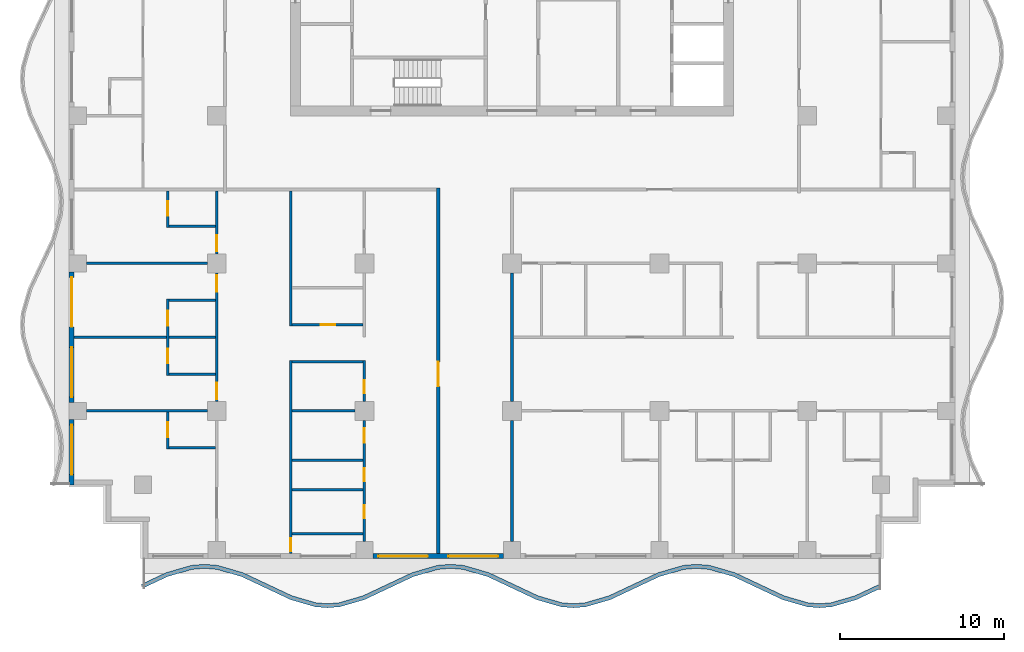
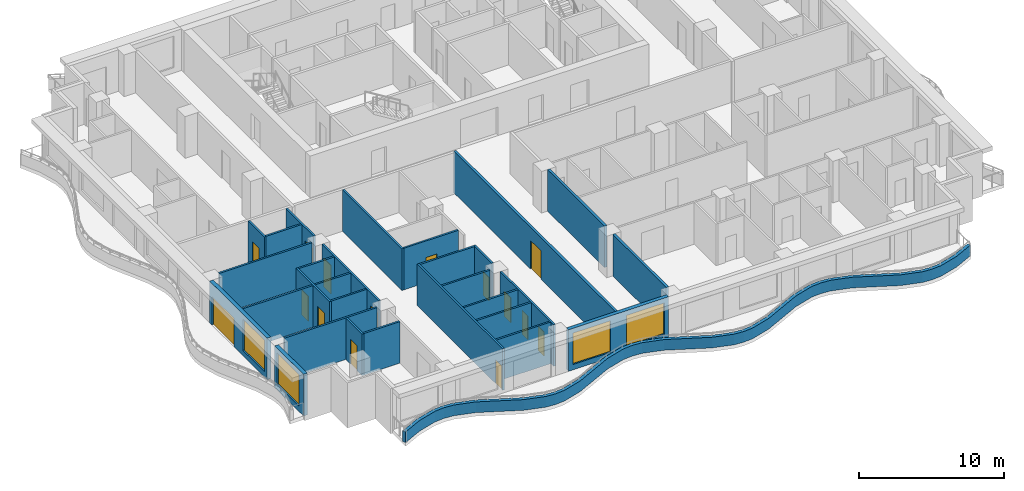
# One storey, part 2 of 11: 30 walls, 15 doors, 4 windows, 19 openings.
"""IFC4 building model written with IfcOpenShell, lengths in metres."""

from ifc_helpers import new_model, si_unit, direction, frame, frame_2d, origin, place, context, subcontext, project, spatial, polyline, rectangle, outline, extrude, material, layer, layer_set, type_object, element, fill, save


model = new_model("IFC4")

# Units and contexts
model_context = context("Model", 3, precision=1e-05, world=origin(), true_north=direction((0.0, 1.0)))
body_context = subcontext(model_context, "Body", "Model", "MODEL_VIEW")
ifc_project = project(units=[si_unit("LENGTHUNIT", "METRE"), si_unit("AREAUNIT", "SQUARE_METRE"), si_unit("VOLUMEUNIT", "CUBIC_METRE"), si_unit("PLANEANGLEUNIT", "RADIAN"), si_unit("MASSUNIT", "GRAM", prefix="KILO")], contexts=[model_context])

# Site, building, storey
site_placement = place(None, origin())
site = spatial("IfcSite", under=ifc_project, at=site_placement, CompositionType="ELEMENT")
building_placement = place(site_placement, origin())
building = spatial("IfcBuilding", under=site, at=building_placement, Name="Orbiselva Terraces", CompositionType="ELEMENT")
storey_placement = place(building_placement, frame((0.0, 0.0, 195.8)))
storey = spatial("IfcBuildingStorey", under=building, at=storey_placement, Name="L49", CompositionType="ELEMENT", Elevation=195.8)

# Wall
ifc_material_1 = material(Name="Concrete C40/50", Category="concrete")
ifc_layer_1 = layer(ifc_material_1, 0.25)
ifc_layer_set_1 = layer_set([ifc_layer_1], Name="Concrete C40/50")
wall_type_1 = type_object("IfcWallType", Name="ENV-PLANTER-250x900", PredefinedType="USERDEFINED", material=ifc_layer_set_1)
wall_1_placement = place(storey_placement, origin())
element("IfcWall", 1, at=wall_1_placement, inside=storey, type_object=wall_type_1, Name="Balcony planter L49 S", ObjectType="PLANTER", PredefinedType="USERDEFINED", context=body_context, shape_type="SweptSolid", body=[
    extrude(outline(polyline([(-22.5, -24.3), (-21.0, -23.594658), (-19.5, -23.158732), (-18.75, -23.1), (-18.0, -23.158732), (-16.5, -23.594658), (-15.0, -24.3), (-13.5, -25.005342), (-12.0, -25.441268), (-11.25, -25.5), (-10.5, -25.441268), (-9.0, -25.005342), (-7.5, -24.3), (-6.0, -23.594658), (-4.5, -23.158732), (-3.75, -23.1), (-3.0, -23.158732), (-1.5, -23.594658), (0.0, -24.3), (1.5, -25.005342), (3.0, -25.441268), (3.75, -25.5), (4.5, -25.441268), (6.0, -25.005342), (7.5, -24.3), (9.0, -23.594658), (10.5, -23.158732), (11.25, -23.1), (12.0, -23.158732), (13.5, -23.594658), (15.0, -24.3), (16.5, -25.005342), (18.0, -25.441268), (18.75, -25.5), (19.5, -25.441268), (21.0, -25.005342), (22.5, -24.3), (22.393617, -24.073764), (20.911382, -24.770753), (19.454886, -25.194035), (18.75, -25.249235), (18.045114, -25.194035), (16.588618, -24.770753), (15.106383, -24.073764), (13.588618, -23.360069), (12.045114, -22.911499), (11.25, -22.849235), (10.454886, -22.911499), (8.911382, -23.360069), (7.393617, -24.073764), (5.911382, -24.770753), (4.454886, -25.194035), (3.75, -25.249235), (3.045114, -25.194035), (1.588618, -24.770753), (0.106383, -24.073764), (-1.411382, -23.360069), (-2.954886, -22.911499), (-3.75, -22.849235), (-4.545114, -22.911499), (-6.088618, -23.360069), (-7.606383, -24.073764), (-9.088618, -24.770753), (-10.545114, -25.194035), (-11.25, -25.249235), (-11.954886, -25.194035), (-13.411382, -24.770753), (-14.893617, -24.073764), (-16.411382, -23.360069), (-17.954886, -22.911499), (-18.75, -22.849235), (-19.545114, -22.911499), (-21.088618, -23.360069), (-22.606383, -24.073764), (-22.5, -24.3)])), origin(), (0.0, 0.0, 1.0), 0.9),
])

# Wall, openings, windows
ifc_material_2 = material(Name="Terracotta cladding on masonry backing", Category="masonry")
ifc_layer_2 = layer(ifc_material_2, 0.3)
ifc_layer_set_2 = layer_set([ifc_layer_2], Name="Terracotta cladding on masonry backing")
wall_type_2 = type_object("IfcWallType", Name="ENV-WALL-TERRACOTTA-300", PredefinedType="SOLIDWALL", material=ifc_layer_set_2)
wall_2_placement = place(storey_placement, frame((-0.525, -22.35, 0.0), z_axis=(0.0, 0.0, 1.0), x_axis=(-1.0, 0.0, 0.0)))
wall_2 = element("IfcWall", 2, at=wall_2_placement, inside=storey, type_object=wall_type_2, Name="Facade wall L49 S", PredefinedType="SOLIDWALL", context=body_context, shape_type="SweptSolid", body=[
    extrude(rectangle(XDim=7.95, YDim=0.3, at=frame_2d((3.975, 0.0))), origin(), (0.0, 0.0, 1.0), 3.5),
])
opening_1_placement = place(wall_2_placement, frame((4.6, 0.0, 0.45)))
opening_1 = element("IfcOpeningElement", 3, at=opening_1_placement, cuts=wall_2, Name="Opening WN14", PredefinedType="OPENING", context=body_context, shape_type="SweptSolid", body=[
    extrude(rectangle(XDim=3.025, YDim=2.65, at=frame_2d((1.5125, 1.325))), frame((0.0, 0.16, 0.0), z_axis=(0.0, -1.0, 0.0), x_axis=(1.0, 0.0, 0.0)), (0.0, 0.0, 1.0), 0.32),
])
opening_2_placement = place(wall_2_placement, frame((0.325, 0.0, 0.45)))
opening_2 = element("IfcOpeningElement", 4, at=opening_2_placement, cuts=wall_2, Name="Opening WN14", PredefinedType="OPENING", context=body_context, shape_type="SweptSolid", body=[
    extrude(rectangle(XDim=3.025, YDim=2.65, at=frame_2d((1.5125, 1.325))), frame((0.0, 0.16, 0.0), z_axis=(0.0, -1.0, 0.0), x_axis=(1.0, 0.0, 0.0)), (0.0, 0.0, 1.0), 0.32),
])
ifc_material_3 = material(Name="Clear low-e glazing in aluminium frame", Category="aluminium")
window_type = type_object("IfcWindowType", Name="WINDOW 3025 X 2650 S450", PartitioningType="TRIPLE_PANEL_VERTICAL", PredefinedType="WINDOW", material=ifc_material_3)
window_1_placement = place(opening_1_placement, origin())
window_1 = element("IfcWindow", 5, at=window_1_placement, inside=storey, type_object=window_type, Name="Window L49 S", OverallHeight=2.65, OverallWidth=3.025, PartitioningType="SINGLE_PANEL", PredefinedType="WINDOW", context=body_context, shape_type="SweptSolid", body=[
    extrude(rectangle(XDim=3.025, YDim=2.65, at=frame_2d((1.5125, 1.325))), frame((0.0, 0.03, 0.0), z_axis=(0.0, -1.0, 0.0), x_axis=(1.0, 0.0, 0.0)), (0.0, 0.0, 1.0), 0.06),
])
fill(opening_1, window_1)
window_2_placement = place(opening_2_placement, origin())
window_2 = element("IfcWindow", 6, at=window_2_placement, inside=storey, type_object=window_type, Name="Window L49 S", OverallHeight=2.65, OverallWidth=3.025, PartitioningType="SINGLE_PANEL", PredefinedType="WINDOW", context=body_context, shape_type="SweptSolid", body=[
    extrude(rectangle(XDim=3.025, YDim=2.65, at=frame_2d((1.5125, 1.325))), frame((0.0, 0.03, 0.0), z_axis=(0.0, -1.0, 0.0), x_axis=(1.0, 0.0, 0.0)), (0.0, 0.0, 1.0), 0.06),
])
fill(opening_2, window_2)

# Wall, openings, door, window
wall_3_placement = place(storey_placement, frame((-26.85, -12.975, 0.0), z_axis=(0.0, 0.0, 1.0), x_axis=(0.0, 1.0, 0.0)))
wall_3 = element("IfcWall", 7, at=wall_3_placement, inside=storey, type_object=wall_type_2, Name="Facade wall L49 W", PredefinedType="SOLIDWALL", context=body_context, shape_type="SweptSolid", body=[
    extrude(rectangle(XDim=7.95, YDim=0.3, at=frame_2d((3.975, 0.0))), origin(), (0.0, 0.0, 1.0), 3.5),
])
opening_3_placement = place(wall_3_placement, frame((4.6, 0.0, 0.0)))
opening_3 = element("IfcOpeningElement", 8, at=opening_3_placement, cuts=wall_3, Name="Opening Z4-B-E09", PredefinedType="OPENING", context=body_context, shape_type="SweptSolid", body=[
    extrude(rectangle(XDim=3.025, YDim=2.4, at=frame_2d((1.5125, 1.2))), frame((0.0, 0.16, 0.0), z_axis=(0.0, -1.0, 0.0), x_axis=(1.0, 0.0, 0.0)), (0.0, 0.0, 1.0), 0.32),
])
opening_4_placement = place(wall_3_placement, frame((0.325, 0.0, 0.45)))
opening_4 = element("IfcOpeningElement", 9, at=opening_4_placement, cuts=wall_3, Name="Opening WN14", PredefinedType="OPENING", context=body_context, shape_type="SweptSolid", body=[
    extrude(rectangle(XDim=3.025, YDim=2.65, at=frame_2d((1.5125, 1.325))), frame((0.0, 0.16, 0.0), z_axis=(0.0, -1.0, 0.0), x_axis=(1.0, 0.0, 0.0)), (0.0, 0.0, 1.0), 0.32),
])
door_type_1 = type_object("IfcDoorType", Name="BALCONY DOOR 3025 X 2400", OperationType="DOUBLE_DOOR_SLIDING", PredefinedType="DOOR", material=ifc_material_3)
door_1_placement = place(opening_3_placement, origin())
door_1 = element("IfcDoor", 10, at=door_1_placement, inside=storey, type_object=door_type_1, Name="Z4-B-E09", OperationType="SINGLE_SWING_LEFT", OverallHeight=2.4, OverallWidth=3.025, PredefinedType="DOOR", context=body_context, shape_type="SweptSolid", body=[
    extrude(rectangle(XDim=3.025, YDim=2.4, at=frame_2d((1.5125, 1.2))), frame((0.0, 0.025, 0.0), z_axis=(0.0, -1.0, 0.0), x_axis=(1.0, 0.0, 0.0)), (0.0, 0.0, 1.0), 0.05),
])
fill(opening_3, door_1)
window_3_placement = place(opening_4_placement, origin())
window_3 = element("IfcWindow", 11, at=window_3_placement, inside=storey, type_object=window_type, Name="Window L49 W", OverallHeight=2.65, OverallWidth=3.025, PartitioningType="SINGLE_PANEL", PredefinedType="WINDOW", context=body_context, shape_type="SweptSolid", body=[
    extrude(rectangle(XDim=3.025, YDim=2.65, at=frame_2d((1.5125, 1.325))), frame((0.0, 0.03, 0.0), z_axis=(0.0, -1.0, 0.0), x_axis=(1.0, 0.0, 0.0)), (0.0, 0.0, 1.0), 0.06),
])
fill(opening_4, window_3)

# Wall, opening, window
wall_4_placement = place(storey_placement, frame((-26.85, -18.0, 0.0), z_axis=(0.0, 0.0, 1.0), x_axis=(0.0, 1.0, 0.0)))
wall_4 = element("IfcWall", 12, at=wall_4_placement, inside=storey, type_object=wall_type_2, Name="Facade wall L49 W", PredefinedType="SOLIDWALL", context=body_context, shape_type="SweptSolid", body=[
    extrude(rectangle(XDim=3.975, YDim=0.3, at=frame_2d((1.9875, 0.0))), origin(), (0.0, 0.0, 1.0), 3.5),
])
opening_5_placement = place(wall_4_placement, frame((0.625, 0.0, 0.45)))
opening_5 = element("IfcOpeningElement", 13, at=opening_5_placement, cuts=wall_4, Name="Opening WN14", PredefinedType="OPENING", context=body_context, shape_type="SweptSolid", body=[
    extrude(rectangle(XDim=3.025, YDim=2.65, at=frame_2d((1.5125, 1.325))), frame((0.0, 0.16, 0.0), z_axis=(0.0, -1.0, 0.0), x_axis=(1.0, 0.0, 0.0)), (0.0, 0.0, 1.0), 0.32),
])
window_4_placement = place(opening_5_placement, origin())
window_4 = element("IfcWindow", 14, at=window_4_placement, inside=storey, type_object=window_type, Name="Window L49 W", OverallHeight=2.65, OverallWidth=3.025, PartitioningType="SINGLE_PANEL", PredefinedType="WINDOW", context=body_context, shape_type="SweptSolid", body=[
    extrude(rectangle(XDim=3.025, YDim=2.65, at=frame_2d((1.5125, 1.325))), frame((0.0, 0.03, 0.0), z_axis=(0.0, -1.0, 0.0), x_axis=(1.0, 0.0, 0.0)), (0.0, 0.0, 1.0), 0.06),
])
fill(opening_5, window_4)

# Wall, opening, door
ifc_material_4 = material(Name="Plasterboard on steel stud partition", Category="steel")
ifc_layer_3 = layer(ifc_material_4, 0.2)
ifc_layer_set_3 = layer_set([ifc_layer_3], Name="Plasterboard on steel stud partition")
wall_type_3 = type_object("IfcWallType", Name="UNIT-ENTRANCE-WALL-200", PredefinedType="PARTITIONING", material=ifc_layer_set_3)
wall_5_placement = place(storey_placement, frame((-4.5, -22.2, 0.0), z_axis=(0.0, 0.0, 1.0), x_axis=(0.0, 1.0, 0.0)))
wall_5 = element("IfcWall", 15, at=wall_5_placement, inside=storey, type_object=wall_type_3, Name="PARTITION L49-061", PredefinedType="PARTITIONING", context=body_context, shape_type="SweptSolid", body=[
    extrude(rectangle(XDim=22.3, YDim=0.2, at=frame_2d((11.15, 0.0))), origin(), (0.0, 0.0, 1.0), 3.5),
])
opening_6_placement = place(wall_5_placement, frame((10.2, 0.0, 0.0)))
opening_6 = element("IfcOpeningElement", 16, at=opening_6_placement, cuts=wall_5, Name="Opening Z4-B-14", PredefinedType="OPENING", context=body_context, shape_type="SweptSolid", body=[
    extrude(rectangle(XDim=1.5, YDim=2.4, at=frame_2d((0.75, 1.2))), frame((0.0, 0.11, 0.0), z_axis=(0.0, -1.0, 0.0), x_axis=(1.0, 0.0, 0.0)), (0.0, 0.0, 1.0), 0.22),
])
ifc_material_5 = material(Name="Painted timber door leaf", Category="wood")
door_type_2 = type_object("IfcDoorType", Name="ENTRANCE DOUBLE DOOR 1500", OperationType="NOTDEFINED", PredefinedType="DOOR", material=ifc_material_5)
door_2_placement = place(opening_6_placement, origin())
door_2 = element("IfcDoor", 17, at=door_2_placement, inside=storey, type_object=door_type_2, Name="Z4-B-14", OperationType="DOUBLE_DOOR_SINGLE_SWING", OverallHeight=2.4, OverallWidth=1.5, PredefinedType="DOOR", context=body_context, shape_type="SweptSolid", body=[
    extrude(rectangle(XDim=1.5, YDim=2.4, at=frame_2d((0.75, 1.2))), frame((0.0, 0.025, 0.0), z_axis=(0.0, -1.0, 0.0), x_axis=(1.0, 0.0, 0.0)), (0.0, 0.0, 1.0), 0.05),
])
fill(opening_6, door_2)

# Walls
wall_6_placement = place(storey_placement, frame((0.0, -21.45, 0.0), z_axis=(0.0, 0.0, 1.0), x_axis=(0.0, 1.0, 0.0)))
element("IfcWall", 18, at=wall_6_placement, inside=storey, type_object=wall_type_3, Name="PARTITION L49-062", PredefinedType="PARTITIONING", context=body_context, shape_type="SweptSolid", body=[
    extrude(rectangle(XDim=7.375, YDim=0.2, at=frame_2d((3.6875, 0.0))), origin(), (0.0, 0.0, 1.0), 3.5),
])
wall_7_placement = place(storey_placement, frame((0.0, -12.925, 0.0), z_axis=(0.0, 0.0, 1.0), x_axis=(0.0, 1.0, 0.0)))
element("IfcWall", 19, at=wall_7_placement, inside=storey, type_object=wall_type_3, Name="PARTITION L49-063", PredefinedType="PARTITIONING", context=body_context, shape_type="SweptSolid", body=[
    extrude(rectangle(XDim=7.85, YDim=0.2, at=frame_2d((3.925, 0.0))), origin(), (0.0, 0.0, 1.0), 3.5),
])
ifc_layer_4 = layer(ifc_material_4, 0.15)
ifc_layer_set_4 = layer_set([ifc_layer_4], Name="Plasterboard on steel stud partition")
wall_type_4 = type_object("IfcWallType", Name="UNIT-PARTITION-150", PredefinedType="PARTITIONING", material=ifc_layer_set_4)
for number, where, z_axis, x_axis, name in (
    (20, (-13.425, -21.0, 0.0), (0.0, 0.0, 1.0), (1.0, 0.0, 0.0), "PARTITION L49-001"),
    (21, (-13.425, -18.3, 0.0), (0.0, 0.0, 1.0), (1.0, 0.0, 0.0), "PARTITION L49-002"),
    (22, (-13.425, -16.5, 0.0), (0.0, 0.0, 1.0), (1.0, 0.0, 0.0), "PARTITION L49-003"),
):
    element("IfcWall", number, at=place(storey_placement, frame(where, z_axis=z_axis, x_axis=x_axis)), inside=storey, type_object=wall_type_4, Name=name, PredefinedType="PARTITIONING", context=body_context, shape_type="SweptSolid", body=[
        extrude(rectangle(XDim=4.35, YDim=0.15, at=frame_2d((2.175, 0.0))), origin(), (0.0, 0.0, 1.0), 3.5),
    ])
wall_8_placement = place(storey_placement, frame((-20.925, -15.75, 0.0), z_axis=(0.0, 0.0, 1.0), x_axis=(1.0, 0.0, 0.0)))
element("IfcWall", 23, at=wall_8_placement, inside=storey, type_object=wall_type_4, Name="PARTITION L49-008", PredefinedType="PARTITIONING", context=body_context, shape_type="SweptSolid", body=[
    extrude(rectangle(XDim=2.85, YDim=0.15, at=frame_2d((1.425, 0.0))), origin(), (0.0, 0.0, 1.0), 3.5),
])
wall_9_placement = place(storey_placement, frame((-25.95, -13.5, 0.0), z_axis=(0.0, 0.0, 1.0), x_axis=(1.0, 0.0, 0.0)))
element("IfcWall", 24, at=wall_9_placement, inside=storey, type_object=wall_type_4, Name="PARTITION L49-009", PredefinedType="PARTITIONING", context=body_context, shape_type="SweptSolid", body=[
    extrude(rectangle(XDim=7.375, YDim=0.15, at=frame_2d((3.6875, 0.0))), origin(), (0.0, 0.0, 1.0), 3.5),
])
wall_10_placement = place(storey_placement, frame((-13.425, -13.5, 0.0), z_axis=(0.0, 0.0, 1.0), x_axis=(1.0, 0.0, 0.0)))
element("IfcWall", 25, at=wall_10_placement, inside=storey, type_object=wall_type_4, Name="PARTITION L49-010", PredefinedType="PARTITIONING", context=body_context, shape_type="SweptSolid", body=[
    extrude(rectangle(XDim=3.85, YDim=0.15, at=frame_2d((1.925, 0.0))), origin(), (0.0, 0.0, 1.0), 3.5),
])
wall_11_placement = place(storey_placement, frame((-20.925, -11.25, 0.0), z_axis=(0.0, 0.0, 1.0), x_axis=(1.0, 0.0, 0.0)))
element("IfcWall", 26, at=wall_11_placement, inside=storey, type_object=wall_type_4, Name="PARTITION L49-014", PredefinedType="PARTITIONING", context=body_context, shape_type="SweptSolid", body=[
    extrude(rectangle(XDim=2.85, YDim=0.15, at=frame_2d((1.425, 0.0))), origin(), (0.0, 0.0, 1.0), 3.5),
])
wall_12_placement = place(storey_placement, frame((-13.425, -10.5, 0.0), z_axis=(0.0, 0.0, 1.0), x_axis=(1.0, 0.0, 0.0)))
element("IfcWall", 27, at=wall_12_placement, inside=storey, type_object=wall_type_4, Name="PARTITION L49-015", PredefinedType="PARTITIONING", context=body_context, shape_type="SweptSolid", body=[
    extrude(rectangle(XDim=4.35, YDim=0.15, at=frame_2d((2.175, 0.0))), origin(), (0.0, 0.0, 1.0), 3.5),
])
wall_13_placement = place(storey_placement, frame((-26.7, -9.0, 0.0), z_axis=(0.0, 0.0, 1.0), x_axis=(1.0, 0.0, 0.0)))
element("IfcWall", 28, at=wall_13_placement, inside=storey, type_object=wall_type_4, Name="PARTITION L49-016", PredefinedType="PARTITIONING", context=body_context, shape_type="SweptSolid", body=[
    extrude(rectangle(XDim=5.625, YDim=0.15, at=frame_2d((2.8125, 0.0))), origin(), (0.0, 0.0, 1.0), 3.5),
])
wall_14_placement = place(storey_placement, frame((-20.925, -9.0, 0.0), z_axis=(0.0, 0.0, 1.0), x_axis=(1.0, 0.0, 0.0)))
element("IfcWall", 29, at=wall_14_placement, inside=storey, type_object=wall_type_4, Name="PARTITION L49-017", PredefinedType="PARTITIONING", context=body_context, shape_type="SweptSolid", body=[
    extrude(rectangle(XDim=2.85, YDim=0.15, at=frame_2d((1.425, 0.0))), origin(), (0.0, 0.0, 1.0), 3.5),
])

# Wall, opening, door
wall_15_placement = place(storey_placement, frame((-13.425, -8.25, 0.0), z_axis=(0.0, 0.0, 1.0), x_axis=(1.0, 0.0, 0.0)))
wall_15 = element("IfcWall", 30, at=wall_15_placement, inside=storey, type_object=wall_type_4, Name="PARTITION L49-020", PredefinedType="PARTITIONING", context=body_context, shape_type="SweptSolid", body=[
    extrude(rectangle(XDim=4.35, YDim=0.15, at=frame_2d((2.175, 0.0))), origin(), (0.0, 0.0, 1.0), 3.5),
])
opening_7_placement = place(wall_15_placement, frame((1.75, 0.0, 0.0)))
opening_7 = element("IfcOpeningElement", 31, at=opening_7_placement, cuts=wall_15, Name="Opening Z4-B-16", PredefinedType="OPENING", context=body_context, shape_type="SweptSolid", body=[
    extrude(rectangle(XDim=0.9, YDim=2.1, at=frame_2d((0.45, 1.05))), frame((0.0, 0.085, 0.0), z_axis=(0.0, -1.0, 0.0), x_axis=(1.0, 0.0, 0.0)), (0.0, 0.0, 1.0), 0.17),
])
door_type_3 = type_object("IfcDoorType", Name="BATH DOOR 900", OperationType="NOTDEFINED", PredefinedType="DOOR", material=ifc_material_5)
door_3_placement = place(opening_7_placement, origin())
door_3 = element("IfcDoor", 32, at=door_3_placement, inside=storey, type_object=door_type_3, Name="Z4-B-16", OperationType="SINGLE_SWING_RIGHT", OverallHeight=2.1, OverallWidth=0.9, PredefinedType="DOOR", context=body_context, shape_type="SweptSolid", body=[
    extrude(rectangle(XDim=0.9, YDim=2.1, at=frame_2d((0.45, 1.05))), frame((0.0, 0.025, 0.0), z_axis=(0.0, -1.0, 0.0), x_axis=(1.0, 0.0, 0.0)), (0.0, 0.0, 1.0), 0.05),
])
fill(opening_7, door_3)

# Walls
wall_16_placement = place(storey_placement, frame((-20.925, -6.75, 0.0), z_axis=(0.0, 0.0, 1.0), x_axis=(1.0, 0.0, 0.0)))
element("IfcWall", 33, at=wall_16_placement, inside=storey, type_object=wall_type_4, Name="PARTITION L49-021", PredefinedType="PARTITIONING", context=body_context, shape_type="SweptSolid", body=[
    extrude(rectangle(XDim=2.85, YDim=0.15, at=frame_2d((1.425, 0.0))), origin(), (0.0, 0.0, 1.0), 3.5),
])
wall_17_placement = place(storey_placement, frame((-25.95, -4.5, 0.0), z_axis=(0.0, 0.0, 1.0), x_axis=(1.0, 0.0, 0.0)))
element("IfcWall", 34, at=wall_17_placement, inside=storey, type_object=wall_type_4, Name="PARTITION L49-023", PredefinedType="PARTITIONING", context=body_context, shape_type="SweptSolid", body=[
    extrude(rectangle(XDim=7.375, YDim=0.15, at=frame_2d((3.6875, 0.0))), origin(), (0.0, 0.0, 1.0), 3.5),
])
wall_18_placement = place(storey_placement, frame((-20.925, -2.25, 0.0), z_axis=(0.0, 0.0, 1.0), x_axis=(1.0, 0.0, 0.0)))
element("IfcWall", 35, at=wall_18_placement, inside=storey, type_object=wall_type_4, Name="PARTITION L49-028", PredefinedType="PARTITIONING", context=body_context, shape_type="SweptSolid", body=[
    extrude(rectangle(XDim=2.85, YDim=0.15, at=frame_2d((1.425, 0.0))), origin(), (0.0, 0.0, 1.0), 3.5),
])

# Wall, opening, door
wall_19_placement = place(storey_placement, frame((-21.0, -13.575, 0.0), z_axis=(0.0, 0.0, 1.0), x_axis=(0.0, -1.0, 0.0)))
wall_19 = element("IfcWall", 36, at=wall_19_placement, inside=storey, type_object=wall_type_4, Name="PARTITION L49-046", PredefinedType="PARTITIONING", context=body_context, shape_type="SweptSolid", body=[
    extrude(rectangle(XDim=2.25, YDim=0.15, at=frame_2d((1.125, 0.0))), origin(), (0.0, 0.0, 1.0), 3.5),
])
opening_8_placement = place(wall_19_placement, frame((0.625, 0.0, 0.0)))
opening_8 = element("IfcOpeningElement", 37, at=opening_8_placement, cuts=wall_19, Name="Opening Z4-B-29", PredefinedType="OPENING", context=body_context, shape_type="SweptSolid", body=[
    extrude(rectangle(XDim=0.9, YDim=2.1, at=frame_2d((0.45, 1.05))), frame((0.0, 0.085, 0.0), z_axis=(0.0, -1.0, 0.0), x_axis=(1.0, 0.0, 0.0)), (0.0, 0.0, 1.0), 0.17),
])
door_4_placement = place(opening_8_placement, origin())
door_4 = element("IfcDoor", 38, at=door_4_placement, inside=storey, type_object=door_type_3, Name="Z4-B-29", OperationType="SINGLE_SWING_LEFT", OverallHeight=2.1, OverallWidth=0.9, PredefinedType="DOOR", context=body_context, shape_type="SweptSolid", body=[
    extrude(rectangle(XDim=0.9, YDim=2.1, at=frame_2d((0.45, 1.05))), frame((0.0, 0.025, 0.0), z_axis=(0.0, -1.0, 0.0), x_axis=(1.0, 0.0, 0.0)), (0.0, 0.0, 1.0), 0.05),
])
fill(opening_8, door_4)

# Wall, openings, doors
wall_20_placement = place(storey_placement, frame((-21.0, -6.675, 0.0), z_axis=(0.0, 0.0, 1.0), x_axis=(0.0, -1.0, 0.0)))
wall_20 = element("IfcWall", 39, at=wall_20_placement, inside=storey, type_object=wall_type_4, Name="PARTITION L49-047", PredefinedType="PARTITIONING", context=body_context, shape_type="SweptSolid", body=[
    extrude(rectangle(XDim=4.65, YDim=0.15, at=frame_2d((2.325, 0.0))), origin(), (0.0, 0.0, 1.0), 3.5),
])
opening_9_placement = place(wall_20_placement, frame((0.725, 0.0, 0.0)))
opening_9 = element("IfcOpeningElement", 40, at=opening_9_placement, cuts=wall_20, Name="Opening Z4-B-25", PredefinedType="OPENING", context=body_context, shape_type="SweptSolid", body=[
    extrude(rectangle(XDim=0.9, YDim=2.1, at=frame_2d((0.45, 1.05))), frame((0.0, 0.085, 0.0), z_axis=(0.0, -1.0, 0.0), x_axis=(1.0, 0.0, 0.0)), (0.0, 0.0, 1.0), 0.17),
])
opening_10_placement = place(wall_20_placement, frame((3.025, 0.0, 0.0)))
opening_10 = element("IfcOpeningElement", 41, at=opening_10_placement, cuts=wall_20, Name="Opening Z4-B-27", PredefinedType="OPENING", context=body_context, shape_type="SweptSolid", body=[
    extrude(rectangle(XDim=0.9, YDim=2.1, at=frame_2d((0.45, 1.05))), frame((0.0, 0.085, 0.0), z_axis=(0.0, -1.0, 0.0), x_axis=(1.0, 0.0, 0.0)), (0.0, 0.0, 1.0), 0.17),
])
door_5_placement = place(opening_9_placement, origin())
door_5 = element("IfcDoor", 42, at=door_5_placement, inside=storey, type_object=door_type_3, Name="Z4-B-25", OperationType="SINGLE_SWING_LEFT", OverallHeight=2.1, OverallWidth=0.9, PredefinedType="DOOR", context=body_context, shape_type="SweptSolid", body=[
    extrude(rectangle(XDim=0.9, YDim=2.1, at=frame_2d((0.45, 1.05))), frame((0.0, 0.025, 0.0), z_axis=(0.0, -1.0, 0.0), x_axis=(1.0, 0.0, 0.0)), (0.0, 0.0, 1.0), 0.05),
])
fill(opening_9, door_5)
door_6_placement = place(opening_10_placement, origin())
door_6 = element("IfcDoor", 43, at=door_6_placement, inside=storey, type_object=door_type_3, Name="Z4-B-27", OperationType="SINGLE_SWING_RIGHT", OverallHeight=2.1, OverallWidth=0.9, PredefinedType="DOOR", context=body_context, shape_type="SweptSolid", body=[
    extrude(rectangle(XDim=0.9, YDim=2.1, at=frame_2d((0.45, 1.05))), frame((0.0, 0.025, 0.0), z_axis=(0.0, -1.0, 0.0), x_axis=(1.0, 0.0, 0.0)), (0.0, 0.0, 1.0), 0.05),
])
fill(opening_10, door_6)

# Wall, opening, door
wall_21_placement = place(storey_placement, frame((-21.0, -0.1, 0.0), z_axis=(0.0, 0.0, 1.0), x_axis=(0.0, -1.0, 0.0)))
wall_21 = element("IfcWall", 44, at=wall_21_placement, inside=storey, type_object=wall_type_4, Name="PARTITION L49-048", PredefinedType="PARTITIONING", context=body_context, shape_type="SweptSolid", body=[
    extrude(rectangle(XDim=2.225, YDim=0.15, at=frame_2d((1.1125, 0.0))), origin(), (0.0, 0.0, 1.0), 3.5),
])
opening_11_placement = place(wall_21_placement, frame((0.6, 0.0, 0.0)))
opening_11 = element("IfcOpeningElement", 45, at=opening_11_placement, cuts=wall_21, Name="Opening Z4-B-23", PredefinedType="OPENING", context=body_context, shape_type="SweptSolid", body=[
    extrude(rectangle(XDim=0.9, YDim=2.1, at=frame_2d((0.45, 1.05))), frame((0.0, 0.085, 0.0), z_axis=(0.0, -1.0, 0.0), x_axis=(1.0, 0.0, 0.0)), (0.0, 0.0, 1.0), 0.17),
])
door_7_placement = place(opening_11_placement, origin())
door_7 = element("IfcDoor", 46, at=door_7_placement, inside=storey, type_object=door_type_3, Name="Z4-B-23", OperationType="SINGLE_SWING_LEFT", OverallHeight=2.1, OverallWidth=0.9, PredefinedType="DOOR", context=body_context, shape_type="SweptSolid", body=[
    extrude(rectangle(XDim=0.9, YDim=2.1, at=frame_2d((0.45, 1.05))), frame((0.0, 0.025, 0.0), z_axis=(0.0, -1.0, 0.0), x_axis=(1.0, 0.0, 0.0)), (0.0, 0.0, 1.0), 0.05),
])
fill(opening_11, door_7)

# Wall, openings, doors
wall_22_placement = place(storey_placement, frame((-18.0, -12.925, 0.0), z_axis=(0.0, 0.0, 1.0), x_axis=(0.0, 1.0, 0.0)))
wall_22 = element("IfcWall", 47, at=wall_22_placement, inside=storey, type_object=wall_type_4, Name="PARTITION L49-050", PredefinedType="PARTITIONING", context=body_context, shape_type="SweptSolid", body=[
    extrude(rectangle(XDim=7.85, YDim=0.15, at=frame_2d((3.925, 0.0))), origin(), (0.0, 0.0, 1.0), 3.5),
])
opening_12_placement = place(wall_22_placement, frame((6.7, 0.0, 0.0)))
opening_12 = element("IfcOpeningElement", 48, at=opening_12_placement, cuts=wall_22, Name="Opening Z4-B-24", PredefinedType="OPENING", context=body_context, shape_type="SweptSolid", body=[
    extrude(rectangle(XDim=1.0, YDim=2.4, at=frame_2d((0.5, 1.2))), frame((0.0, 0.085, 0.0), z_axis=(0.0, -1.0, 0.0), x_axis=(1.0, 0.0, 0.0)), (0.0, 0.0, 1.0), 0.17),
])
opening_13_placement = place(wall_22_placement, frame((0.15, 0.0, 0.0)))
opening_13 = element("IfcOpeningElement", 49, at=opening_13_placement, cuts=wall_22, Name="Opening Z4-B-26", PredefinedType="OPENING", context=body_context, shape_type="SweptSolid", body=[
    extrude(rectangle(XDim=1.0, YDim=2.4, at=frame_2d((0.5, 1.2))), frame((0.0, 0.085, 0.0), z_axis=(0.0, -1.0, 0.0), x_axis=(1.0, 0.0, 0.0)), (0.0, 0.0, 1.0), 0.17),
])
door_type_4 = type_object("IfcDoorType", Name="ROOM DOOR 1000", OperationType="NOTDEFINED", PredefinedType="DOOR", material=ifc_material_5)
door_8_placement = place(opening_12_placement, origin())
door_8 = element("IfcDoor", 50, at=door_8_placement, inside=storey, type_object=door_type_4, Name="Z4-B-24", OperationType="SINGLE_SWING_RIGHT", OverallHeight=2.4, OverallWidth=1.0, PredefinedType="DOOR", context=body_context, shape_type="SweptSolid", body=[
    extrude(rectangle(XDim=1.0, YDim=2.4, at=frame_2d((0.5, 1.2))), frame((0.0, 0.025, 0.0), z_axis=(0.0, -1.0, 0.0), x_axis=(1.0, 0.0, 0.0)), (0.0, 0.0, 1.0), 0.05),
])
fill(opening_12, door_8)
door_9_placement = place(opening_13_placement, origin())
door_9 = element("IfcDoor", 51, at=door_9_placement, inside=storey, type_object=door_type_4, Name="Z4-B-26", OperationType="SINGLE_SWING_LEFT", OverallHeight=2.4, OverallWidth=1.0, PredefinedType="DOOR", context=body_context, shape_type="SweptSolid", body=[
    extrude(rectangle(XDim=1.0, YDim=2.4, at=frame_2d((0.5, 1.2))), frame((0.0, 0.025, 0.0), z_axis=(0.0, -1.0, 0.0), x_axis=(1.0, 0.0, 0.0)), (0.0, 0.0, 1.0), 0.05),
])
fill(opening_13, door_9)

# Wall, opening, door
wall_23_placement = place(storey_placement, frame((-18.0, -3.925, 0.0), z_axis=(0.0, 0.0, 1.0), x_axis=(0.0, 1.0, 0.0)))
wall_23 = element("IfcWall", 52, at=wall_23_placement, inside=storey, type_object=wall_type_4, Name="PARTITION L49-051", PredefinedType="PARTITIONING", context=body_context, shape_type="SweptSolid", body=[
    extrude(rectangle(XDim=3.825, YDim=0.15, at=frame_2d((1.9125, 0.0))), origin(), (0.0, 0.0, 1.0), 3.5),
])
opening_14_placement = place(wall_23_placement, frame((0.15, 0.0, 0.0)))
opening_14 = element("IfcOpeningElement", 53, at=opening_14_placement, cuts=wall_23, Name="Opening Z4-B-22", PredefinedType="OPENING", context=body_context, shape_type="SweptSolid", body=[
    extrude(rectangle(XDim=1.0, YDim=2.4, at=frame_2d((0.5, 1.2))), frame((0.0, 0.085, 0.0), z_axis=(0.0, -1.0, 0.0), x_axis=(1.0, 0.0, 0.0)), (0.0, 0.0, 1.0), 0.17),
])
door_10_placement = place(opening_14_placement, origin())
door_10 = element("IfcDoor", 54, at=door_10_placement, inside=storey, type_object=door_type_4, Name="Z4-B-22", OperationType="SINGLE_SWING_LEFT", OverallHeight=2.4, OverallWidth=1.0, PredefinedType="DOOR", context=body_context, shape_type="SweptSolid", body=[
    extrude(rectangle(XDim=1.0, YDim=2.4, at=frame_2d((0.5, 1.2))), frame((0.0, 0.025, 0.0), z_axis=(0.0, -1.0, 0.0), x_axis=(1.0, 0.0, 0.0)), (0.0, 0.0, 1.0), 0.05),
])
fill(opening_14, door_10)

wall_24_placement = place(storey_placement, frame((-13.5, -10.425, 0.0), z_axis=(0.0, 0.0, 1.0), x_axis=(0.0, -1.0, 0.0)))
wall_24 = element("IfcWall", 55, at=wall_24_placement, inside=storey, type_object=wall_type_4, Name="PARTITION L49-055", PredefinedType="PARTITIONING", context=body_context, shape_type="SweptSolid", body=[
    extrude(rectangle(XDim=11.775, YDim=0.15, at=frame_2d((5.8875, 0.0))), origin(), (0.0, 0.0, 1.0), 3.5),
])
opening_15_placement = place(wall_24_placement, frame((10.825, 0.0, 0.0)))
opening_15 = element("IfcOpeningElement", 56, at=opening_15_placement, cuts=wall_24, Name="Opening Z4-B-21", PredefinedType="OPENING", context=body_context, shape_type="SweptSolid", body=[
    extrude(rectangle(XDim=0.8, YDim=2.0, at=frame_2d((0.4, 1.0))), frame((0.0, 0.085, 0.0), z_axis=(0.0, -1.0, 0.0), x_axis=(1.0, 0.0, 0.0)), (0.0, 0.0, 1.0), 0.17),
])
door_type_5 = type_object("IfcDoorType", Name="STORE DOOR 800", OperationType="NOTDEFINED", PredefinedType="DOOR", material=ifc_material_5)
door_11_placement = place(opening_15_placement, origin())
door_11 = element("IfcDoor", 57, at=door_11_placement, inside=storey, type_object=door_type_5, Name="Z4-B-21", OperationType="SINGLE_SWING_RIGHT", OverallHeight=2.0, OverallWidth=0.8, PredefinedType="DOOR", context=body_context, shape_type="SweptSolid", body=[
    extrude(rectangle(XDim=0.8, YDim=2.0, at=frame_2d((0.4, 1.0))), frame((0.0, 0.025, 0.0), z_axis=(0.0, -1.0, 0.0), x_axis=(1.0, 0.0, 0.0)), (0.0, 0.0, 1.0), 0.05),
])
fill(opening_15, door_11)

# Wall
wall_25_placement = place(storey_placement, frame((-13.5, -8.325, 0.0), z_axis=(0.0, 0.0, 1.0), x_axis=(0.0, 1.0, 0.0)))
element("IfcWall", 58, at=wall_25_placement, inside=storey, type_object=wall_type_4, Name="PARTITION L49-056", PredefinedType="PARTITIONING", context=body_context, shape_type="SweptSolid", body=[
    extrude(rectangle(XDim=8.225, YDim=0.15, at=frame_2d((4.1125, 0.0))), origin(), (0.0, 0.0, 1.0), 3.5),
])

# Wall, openings, doors
wall_26_placement = place(storey_placement, frame((-9.0, -21.45, 0.0), z_axis=(0.0, 0.0, 1.0), x_axis=(0.0, 1.0, 0.0)))
wall_26 = element("IfcWall", 59, at=wall_26_placement, inside=storey, type_object=wall_type_4, Name="PARTITION L49-057", PredefinedType="PARTITIONING", context=body_context, shape_type="SweptSolid", body=[
    extrude(rectangle(XDim=7.375, YDim=0.15, at=frame_2d((3.6875, 0.0))), origin(), (0.0, 0.0, 1.0), 3.5),
])
opening_16_placement = place(wall_26_placement, frame((6.0, 0.0, 0.0)))
opening_16 = element("IfcOpeningElement", 60, at=opening_16_placement, cuts=wall_26, Name="Opening Z4-B-18", PredefinedType="OPENING", context=body_context, shape_type="SweptSolid", body=[
    extrude(rectangle(XDim=0.9, YDim=2.1, at=frame_2d((0.45, 1.05))), frame((0.0, 0.085, 0.0), z_axis=(0.0, -1.0, 0.0), x_axis=(1.0, 0.0, 0.0)), (0.0, 0.0, 1.0), 0.17),
])
opening_17_placement = place(wall_26_placement, frame((3.65, 0.0, 0.0)))
opening_17 = element("IfcOpeningElement", 61, at=opening_17_placement, cuts=wall_26, Name="Opening Z4-B-19", PredefinedType="OPENING", context=body_context, shape_type="SweptSolid", body=[
    extrude(rectangle(XDim=0.8, YDim=2.0, at=frame_2d((0.4, 1.0))), frame((0.0, 0.085, 0.0), z_axis=(0.0, -1.0, 0.0), x_axis=(1.0, 0.0, 0.0)), (0.0, 0.0, 1.0), 0.17),
])
opening_18_placement = place(wall_26_placement, frame((1.4, 0.0, 0.0)))
opening_18 = element("IfcOpeningElement", 62, at=opening_18_placement, cuts=wall_26, Name="Opening Z4-B-20", PredefinedType="OPENING", context=body_context, shape_type="SweptSolid", body=[
    extrude(rectangle(XDim=0.8, YDim=2.0, at=frame_2d((0.4, 1.0))), frame((0.0, 0.085, 0.0), z_axis=(0.0, -1.0, 0.0), x_axis=(1.0, 0.0, 0.0)), (0.0, 0.0, 1.0), 0.17),
])
door_type_6 = type_object("IfcDoorType", Name="SERVICE DOOR 900", OperationType="NOTDEFINED", PredefinedType="DOOR", material=ifc_material_5)
door_12_placement = place(opening_16_placement, origin())
door_12 = element("IfcDoor", 63, at=door_12_placement, inside=storey, type_object=door_type_6, Name="Z4-B-18", OperationType="SINGLE_SWING_RIGHT", OverallHeight=2.1, OverallWidth=0.9, PredefinedType="DOOR", context=body_context, shape_type="SweptSolid", body=[
    extrude(rectangle(XDim=0.9, YDim=2.1, at=frame_2d((0.45, 1.05))), frame((0.0, 0.025, 0.0), z_axis=(0.0, -1.0, 0.0), x_axis=(1.0, 0.0, 0.0)), (0.0, 0.0, 1.0), 0.05),
])
fill(opening_16, door_12)
door_13_placement = place(opening_17_placement, origin())
door_13 = element("IfcDoor", 64, at=door_13_placement, inside=storey, type_object=door_type_5, Name="Z4-B-19", OperationType="SINGLE_SWING_RIGHT", OverallHeight=2.0, OverallWidth=0.8, PredefinedType="DOOR", context=body_context, shape_type="SweptSolid", body=[
    extrude(rectangle(XDim=0.8, YDim=2.0, at=frame_2d((0.4, 1.0))), frame((0.0, 0.025, 0.0), z_axis=(0.0, -1.0, 0.0), x_axis=(1.0, 0.0, 0.0)), (0.0, 0.0, 1.0), 0.05),
])
fill(opening_17, door_13)
door_14_placement = place(opening_18_placement, origin())
door_14 = element("IfcDoor", 65, at=door_14_placement, inside=storey, type_object=door_type_5, Name="Z4-B-20", OperationType="SINGLE_SWING_LEFT", OverallHeight=2.0, OverallWidth=0.8, PredefinedType="DOOR", context=body_context, shape_type="SweptSolid", body=[
    extrude(rectangle(XDim=0.8, YDim=2.0, at=frame_2d((0.4, 1.0))), frame((0.0, 0.025, 0.0), z_axis=(0.0, -1.0, 0.0), x_axis=(1.0, 0.0, 0.0)), (0.0, 0.0, 1.0), 0.05),
])
fill(opening_18, door_14)

# Wall, opening, door
wall_27_placement = place(storey_placement, frame((-9.0, -12.925, 0.0), z_axis=(0.0, 0.0, 1.0), x_axis=(0.0, 1.0, 0.0)))
wall_27 = element("IfcWall", 66, at=wall_27_placement, inside=storey, type_object=wall_type_4, Name="PARTITION L49-058", PredefinedType="PARTITIONING", context=body_context, shape_type="SweptSolid", body=[
    extrude(rectangle(XDim=2.5, YDim=0.15, at=frame_2d((1.25, 0.0))), origin(), (0.0, 0.0, 1.0), 3.5),
])
opening_19_placement = place(wall_27_placement, frame((0.5, 0.0, 0.0)))
opening_19 = element("IfcOpeningElement", 67, at=opening_19_placement, cuts=wall_27, Name="Opening Z4-B-17", PredefinedType="OPENING", context=body_context, shape_type="SweptSolid", body=[
    extrude(rectangle(XDim=0.8, YDim=2.0, at=frame_2d((0.4, 1.0))), frame((0.0, 0.085, 0.0), z_axis=(0.0, -1.0, 0.0), x_axis=(1.0, 0.0, 0.0)), (0.0, 0.0, 1.0), 0.17),
])
door_15_placement = place(opening_19_placement, origin())
door_15 = element("IfcDoor", 68, at=door_15_placement, inside=storey, type_object=door_type_5, Name="Z4-B-17", OperationType="SINGLE_SWING_LEFT", OverallHeight=2.0, OverallWidth=0.8, PredefinedType="DOOR", context=body_context, shape_type="SweptSolid", body=[
    extrude(rectangle(XDim=0.8, YDim=2.0, at=frame_2d((0.4, 1.0))), frame((0.0, 0.025, 0.0), z_axis=(0.0, -1.0, 0.0), x_axis=(1.0, 0.0, 0.0)), (0.0, 0.0, 1.0), 0.05),
])
fill(opening_19, door_15)

save(model, "model.ifc")
